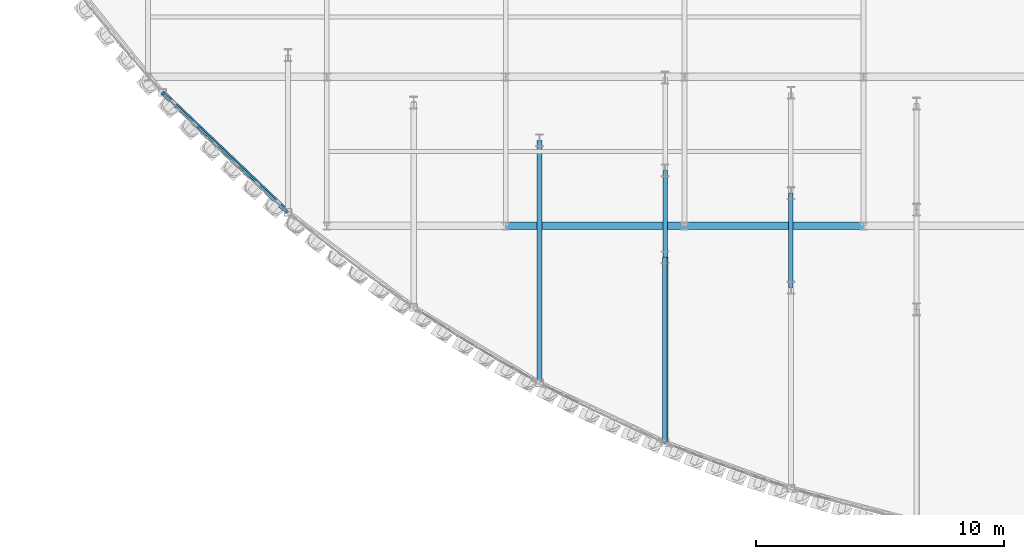
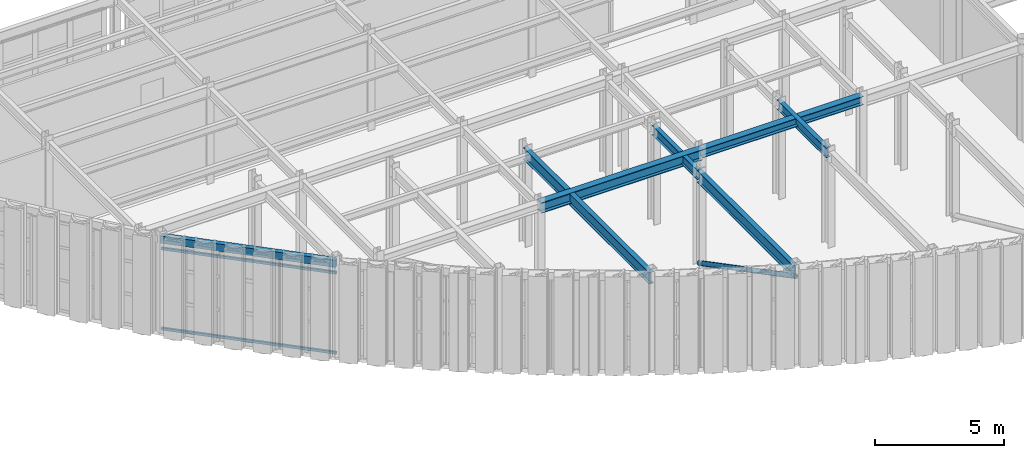
# One storey, part 20 of 121: 7 beams, 3 members.
"""IFC4 building model written with IfcOpenShell, lengths in metres."""

from ifc_helpers import new_model, si_unit, direction, frame, origin, origin_2d, place, context, subcontext, project, spatial, hollow_rectangle, hollow_circle, i_section, extrude, material, material_profile, profile_set, type_object, element, save


model = new_model("IFC4")

# Units and contexts
model_context = context("Model", 3, precision=1e-05, world=origin(), true_north=direction((0.0, 1.0)))
body_context = subcontext(model_context, "Body", "Model", "MODEL_VIEW")
ifc_project = project(units=[si_unit("LENGTHUNIT", "METRE"), si_unit("AREAUNIT", "SQUARE_METRE"), si_unit("VOLUMEUNIT", "CUBIC_METRE"), si_unit("PLANEANGLEUNIT", "RADIAN"), si_unit("MASSUNIT", "GRAM", prefix="KILO")], contexts=[model_context])

# Site, building, storey
site_placement = place(None, origin())
site = spatial("IfcSite", under=ifc_project, at=site_placement, CompositionType="ELEMENT")
building_placement = place(site_placement, origin())
building = spatial("IfcBuilding", under=site, at=building_placement, Name="Solvadek Multi-Sports Hall", CompositionType="ELEMENT")
storey_placement = place(building_placement, frame((0.0, 0.0, 4.800048828125)))
storey = spatial("IfcBuildingStorey", under=building, at=storey_placement, Name="L01", CompositionType="ELEMENT", Elevation=4.800048828125)

# Beams
ifc_material_1 = material(Name="Steel E350 (350 MPa)", Category="steel")
ifc_material_profile_1 = material_profile(ifc_material_1, i_section(OverallWidth=0.18994140625, OverallDepth=0.449951171875, WebThickness=0.009521484375, FlangeThickness=0.0146484375, at=origin_2d()), Name="NPB 450")
ifc_profile_set_1 = profile_set([ifc_material_profile_1], Name="Steel E350 (350 MPa)")
beam_type_1 = type_object("IfcBeamType", Name="STR-BM-NPB450", PredefinedType="BEAM", material=ifc_profile_set_1)
beam_1_placement = place(storey_placement, frame((56.818115234375, -1.27001953125, 4.3349609375), z_axis=(0.0, 1.0, 0.0), x_axis=(-1.0, 0.0, 0.0)))
element("IfcBeam", 1, at=beam_1_placement, inside=storey, type_object=beam_type_1, Name="L01 Girder B-08 #1207", PredefinedType="BEAM", context=body_context, shape_type="SweptSolid", body=[
    extrude(i_section(OverallWidth=0.18994140625, OverallDepth=0.449951171875, WebThickness=0.009521484375, FlangeThickness=0.0146484375, at=origin_2d()), origin(), (0.0, 0.0, 1.0), 3.5078125),
])
beam_2_placement = place(storey_placement, frame((61.87890625, -2.4833984375, 4.3349609375), z_axis=(0.0, 1.0, 0.0), x_axis=(-1.0, 0.0, 0.0)))
element("IfcBeam", 2, at=beam_2_placement, inside=storey, type_object=beam_type_1, Name="L01 Girder B-08 #1225", PredefinedType="BEAM", context=body_context, shape_type="SweptSolid", body=[
    extrude(i_section(OverallWidth=0.18994140625, OverallDepth=0.449951171875, WebThickness=0.009521484375, FlangeThickness=0.0146484375, at=origin_2d()), origin(), (0.0, 0.0, 1.0), 3.802001953125),
])
ifc_material_profile_2 = material_profile(ifc_material_1, i_section(OverallWidth=0.2099609375, OverallDepth=0.550048828125, WebThickness=0.010986328125, FlangeThickness=0.01708984375, at=origin_2d()), Name="NPB 550")
ifc_profile_set_2 = profile_set([ifc_material_profile_2], Name="Steel E350 (350 MPa)")
beam_type_2 = type_object("IfcBeamType", Name="STR-BM-NPB550", PredefinedType="BEAM", material=ifc_profile_set_2)
beam_3_placement = place(storey_placement, frame((51.757568359375, -6.323974609375, 4.284912109375), z_axis=(0.0, 1.0, 0.0), x_axis=(-1.0, 0.0, 0.0)))
element("IfcBeam", 3, at=beam_3_placement, inside=storey, type_object=beam_type_2, Name="L01 Girder B-05 #1205", PredefinedType="BEAM", context=body_context, shape_type="SweptSolid", body=[
    extrude(i_section(OverallWidth=0.2099609375, OverallDepth=0.550048828125, WebThickness=0.010986328125, FlangeThickness=0.01708984375, at=origin_2d()), origin(), (0.0, 0.0, 1.0), 9.761962890625),
])
beam_4_placement = place(storey_placement, frame((56.818115234375, -8.72412109375, 4.284912109375), z_axis=(0.0, 1.0, 0.0), x_axis=(-1.0, 0.0, 0.0)))
element("IfcBeam", 4, at=beam_4_placement, inside=storey, type_object=beam_type_2, Name="L01 Girder B-05 #1206", PredefinedType="BEAM", context=body_context, shape_type="SweptSolid", body=[
    extrude(i_section(OverallWidth=0.2099609375, OverallDepth=0.550048828125, WebThickness=0.010986328125, FlangeThickness=0.01708984375, at=origin_2d()), origin(), (0.0, 0.0, 1.0), 7.4541015625),
])

# Member
ifc_material_profile_3 = material_profile(ifc_material_1, hollow_circle(Radius=0.109619140625, WallThickness=0.010009765625, at=origin_2d()), Name="CHS 219.1x10")
ifc_profile_set_3 = profile_set([ifc_material_profile_3], Name="Steel E350 (350 MPa)")
member_type_1 = type_object("IfcMemberType", Name="STR-BRC-CHS219", PredefinedType="BRACE", material=ifc_profile_set_3)
member_placement = place(storey_placement, frame((56.818115234375, -1.27001953125, 0.14990234375), z_axis=(0.0, -0.886045581307, 0.463598131841), x_axis=(1.0, 0.0, 0.0)))
element("IfcMember", 5, at=member_placement, inside=storey, type_object=member_type_1, Name="L01 Crescent Radial Truss Diagonal #2", PredefinedType="BRACE", context=body_context, shape_type="SweptSolid", body=[
    extrude(hollow_circle(Radius=0.109619140625, WallThickness=0.010009765625, at=origin_2d()), origin(), (0.0, 0.0, 1.0), 8.412841796875),
])

# Beams
ifc_material_profile_4 = material_profile(ifc_material_1, hollow_rectangle(XDim=0.199951171875, YDim=0.35009765625, WallThickness=0.011962890625, at=origin_2d()), Name="RHS 350x200x12")
ifc_profile_set_4 = profile_set([ifc_material_profile_4], Name="Steel E350 (350 MPa)")
beam_type_3 = type_object("IfcBeamType", Name="STR-SPN-RHS350", PredefinedType="SPANDREL", material=ifc_profile_set_4)
beam_5_placement = place(storey_placement, frame((36.57568359375, 5.37158203125, 4.385009765625), z_axis=(0.723682801678, -0.690132742707, 0.0), x_axis=(0.690132742707, 0.723682801678, 0.0)))
element("IfcBeam", 6, at=beam_5_placement, inside=storey, type_object=beam_type_3, Name="L01 Curved Crescent Spandrel #41", PredefinedType="SPANDREL", context=body_context, shape_type="SweptSolid", body=[
    extrude(hollow_rectangle(XDim=0.199951171875, YDim=0.35009765625, WallThickness=0.011962890625, at=origin_2d()), origin(), (0.0, 0.0, 1.0), 6.9931640625),
])
ifc_material_profile_5 = material_profile(ifc_material_1, i_section(OverallWidth=0.300048828125, OverallDepth=0.39990234375, WebThickness=0.013427734375, FlangeThickness=0.02392578125, at=origin_2d()), Name="WPB 400")
ifc_profile_set_5 = profile_set([ifc_material_profile_5], Name="Steel E350 (350 MPa)")
beam_type_4 = type_object("IfcBeamType", Name="STR-SPN-WPB400", PredefinedType="SPANDREL", material=ifc_profile_set_5)
beam_6_placement = place(storey_placement, frame((57.60009765625, 0.0, 4.35986328125), z_axis=(1.0, 0.0, 0.0), x_axis=(0.0, 1.0, 0.0)))
element("IfcBeam", 7, at=beam_6_placement, inside=storey, type_object=beam_type_4, Name="L01 Girder SP-02 #948", PredefinedType="SPANDREL", context=body_context, shape_type="SweptSolid", body=[
    extrude(i_section(OverallWidth=0.300048828125, OverallDepth=0.39990234375, WebThickness=0.013427734375, FlangeThickness=0.02392578125, at=origin_2d()), origin(), (0.0, 0.0, 1.0), 7.199951171875),
])
ifc_material_profile_6 = material_profile(ifc_material_1, i_section(OverallWidth=0.300048828125, OverallDepth=0.5, WebThickness=0.014404296875, FlangeThickness=0.028076171875, at=origin_2d()), Name="WPB 500")
ifc_profile_set_6 = profile_set([ifc_material_profile_6], Name="Steel E350 (350 MPa)")
beam_type_5 = type_object("IfcBeamType", Name="STR-SPN-WPB500", PredefinedType="SPANDREL", material=ifc_profile_set_6)
beam_7_placement = place(storey_placement, frame((50.39990234375, 0.0, 4.31005859375), z_axis=(1.0, 0.0, 0.0), x_axis=(0.0, 1.0, 0.0)))
element("IfcBeam", 8, at=beam_7_placement, inside=storey, type_object=beam_type_5, Name="L01 Girder SP-01 #947", PredefinedType="SPANDREL", context=body_context, shape_type="SweptSolid", body=[
    extrude(i_section(OverallWidth=0.300048828125, OverallDepth=0.5, WebThickness=0.014404296875, FlangeThickness=0.028076171875, at=origin_2d()), origin(), (0.0, 0.0, 1.0), 7.2001953125),
])

# Members
ifc_material_2 = material(Name="Steel E250 (250 MPa)", Category="steel")
ifc_material_profile_7 = material_profile(ifc_material_2, hollow_rectangle(XDim=0.080078125, YDim=0.1201171875, WallThickness=0.006103515625, at=origin_2d()), Name="RHS 120x80x6")
ifc_profile_set_7 = profile_set([ifc_material_profile_7], Name="Steel E250 (250 MPa)")
member_type_2 = type_object("IfcMemberType", Name="STR-STD-RHS120", PredefinedType="STUD", material=ifc_profile_set_7)
for number, where, z_axis, x_axis, name in (
    (9, (36.57568359375, 5.37158203125, 0.119873046875), (0.723682801678, -0.690132742707, 0.0), (0.690132742707, 0.723682801678, 0.0), "L01 Flute Subframe Rail W-3 bot"),
    (10, (36.57568359375, 5.37158203125, 3.909912109375), (0.723682801678, -0.690132742707, 0.0), (0.690132742707, 0.723682801678, 0.0), "L01 Flute Subframe Rail W-3 top"),
):
    element("IfcMember", number, at=place(storey_placement, frame(where, z_axis=z_axis, x_axis=x_axis)), inside=storey, type_object=member_type_2, Name=name, PredefinedType="STUD", context=body_context, shape_type="SweptSolid", body=[
        extrude(hollow_rectangle(XDim=0.080078125, YDim=0.1201171875, WallThickness=0.006103515625, at=origin_2d()), origin(), (0.0, 0.0, 1.0), 6.9931640625),
    ])

save(model, "model.ifc")
